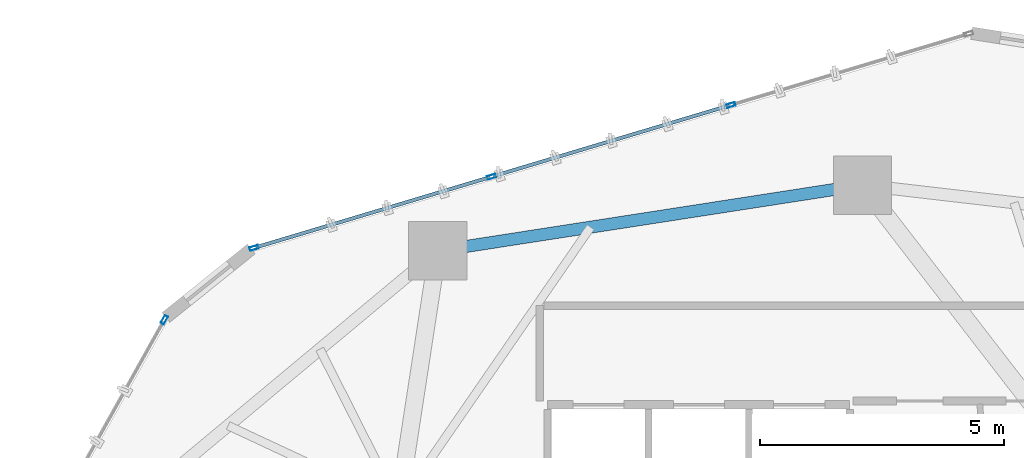
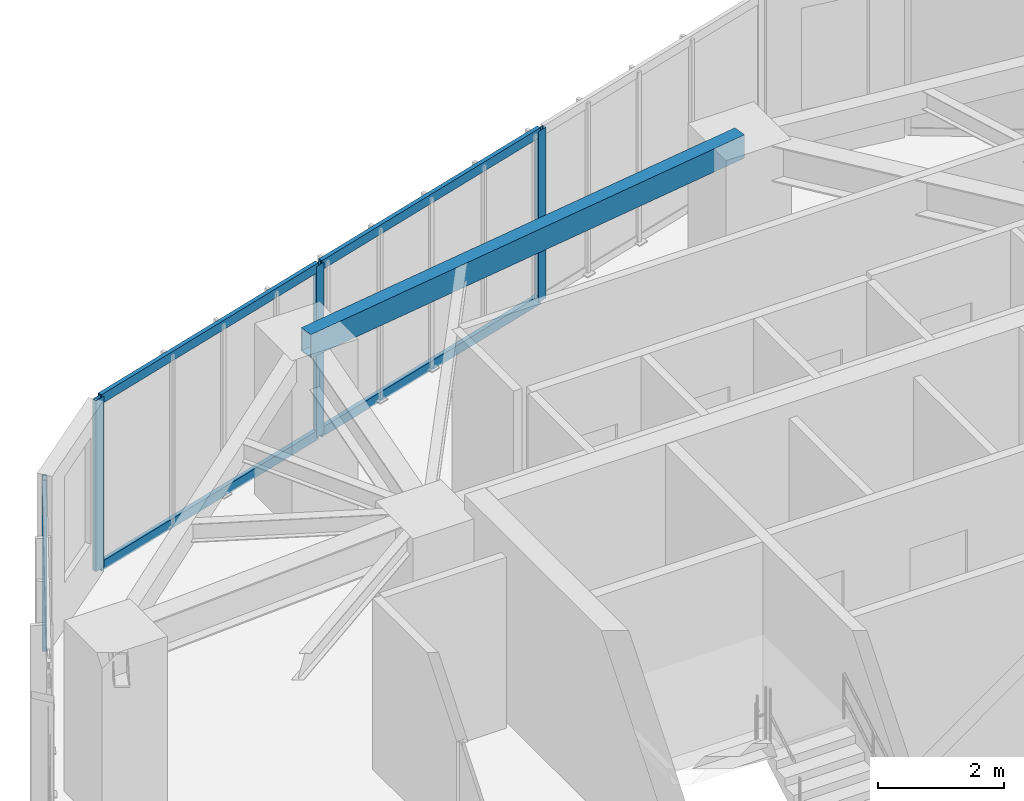
# One storey, part 12 of 21: 8 members, 1 beam, 2 elements without a shape of their own.
"""IFC4 building model written with IfcOpenShell, lengths in metres."""

from ifc_helpers import new_model, si_unit, direction, frame, origin, origin_2d, place, context, subcontext, project, spatial, hollow_rectangle, extrude, source, transform, mapped, material, layer, layer_set, material_profile, profile_set, type_object, type_shapes, element, aggregate, save


model = new_model("IFC4")

# Units and contexts
model_context = context("Model", 3, precision=1e-05, world=origin(), true_north=direction((0.0, 1.0)))
body_context = subcontext(model_context, "Body", "Model", "MODEL_VIEW")
ifc_project = project(units=[si_unit("LENGTHUNIT", "METRE"), si_unit("AREAUNIT", "SQUARE_METRE"), si_unit("VOLUMEUNIT", "CUBIC_METRE"), si_unit("PLANEANGLEUNIT", "RADIAN"), si_unit("MASSUNIT", "GRAM", prefix="KILO")], contexts=[model_context])

# Site, building, storey
site_placement = place(None, origin())
site = spatial("IfcSite", under=ifc_project, at=site_placement, CompositionType="ELEMENT")
building_placement = place(site_placement, origin())
building = spatial("IfcBuilding", under=site, at=building_placement, Name="Talar Marvaseh", CompositionType="ELEMENT")
storey_placement = place(building_placement, frame((0.0, 0.0, 139.800048828125)))
storey = spatial("IfcBuildingStorey", under=building, at=storey_placement, Name="L36", CompositionType="ELEMENT", Elevation=139.800048828125)

# Beam
ifc_material_1 = material(Name="Steel S355", Category="steel")
ifc_material_profile_1 = material_profile(ifc_material_1, hollow_rectangle(XDim=0.25, YDim=0.449951171875, WallThickness=0.01611328125, at=origin_2d()), Name="RHS450x250x16")
ifc_profile_set_1 = profile_set([ifc_material_profile_1], Name="Steel S355")
beam_type = type_object("IfcBeamType", Name="Zone 2 Perimeter Spandrel Beam RHS450x250x16", PredefinedType="SPANDREL", material=ifc_profile_set_1)
beam_placement = place(storey_placement, frame((19.5009765625, 42.123046875, 3.0849609375), z_axis=(0.988248879948, 0.152853365295, 0.0), x_axis=(-0.152853365295, 0.988248879948, 0.0)))
element("IfcBeam", 1, at=beam_placement, inside=storey, type_object=beam_type, Name="L36 Zone 2 Perimeter Spandrel Beam RHS450x250x16", PredefinedType="SPANDREL", context=body_context, shape_type="SweptSolid", body=[
    extrude(hollow_rectangle(XDim=0.25, YDim=0.449951171875, WallThickness=0.01611328125, at=origin_2d()), origin(), (0.0, 0.0, 1.0), 8.82470703125),
])

# Curtain wall, member
ifc_material_2 = material(Name="Architectural Aluminium", Category="aluminium")
ifc_layer = layer(ifc_material_2, 0.199951171875)
ifc_layer_set = layer_set([ifc_layer], Name="Architectural Aluminium")
curtain_wall_type = type_object("IfcCurtainWallType", Name="Unitised Acoustic Library Curtain Wall Z2", PredefinedType="NOTDEFINED", material=ifc_layer_set)
curtain_wall_1_placement = place(storey_placement, origin())
curtain_wall_1 = element("IfcCurtainWall", 2, at=curtain_wall_1_placement, inside=storey, type_object=curtain_wall_type, Name="L36 Unitised Acoustic Library Curtain Wall Z2", PredefinedType="NOTDEFINED")
ifc_material_profile_2 = material_profile(ifc_material_2, hollow_rectangle(XDim=0.074951171875, YDim=0.179931640625, WallThickness=0.0048828125, at=origin_2d()), Name="RHS180x75x5")
ifc_profile_set_2 = profile_set([ifc_material_profile_2], Name="Architectural Aluminium")
member_type_1 = type_object("IfcMemberType", Name="Unitised Curtain Wall Standard Mullion RHS180x75x5", PredefinedType="MULLION", material=ifc_profile_set_2)
shared_shape_1 = source(origin(), body_context, "Body", "SweptSolid", [
    extrude(hollow_rectangle(XDim=0.074951171875, YDim=0.179931640625, WallThickness=0.0048828125, at=origin_2d()), origin(), (0.0, 0.0, 1.0), 3.31005859375),
])
type_shapes(member_type_1, [shared_shape_1])
member_1_placement = place(storey_placement, frame((13.88916015625, 40.705078125, 0.0), z_axis=(0.0, 0.0, 1.0), x_axis=(-0.873076263983, 0.48758367207, 0.0)))
member_1 = element("IfcMember", 3, at=member_1_placement, type_object=member_type_1, Name="CW-Z2 mullion 4", PredefinedType="MULLION", context=body_context, shape_type="MappedRepresentation", body=[
    mapped(shared_shape_1, transform((0.0, 0.0, 0.0), x_axis=(1.0, 0.0, 0.0), y_axis=(0.0, 1.0, 0.0), z_axis=(0.0, 0.0, 1.0), scale=1.0)),
])
aggregate(curtain_wall_1, [member_1])

# Curtain wall, members
curtain_wall_2_placement = place(storey_placement, origin())
curtain_wall_2 = element("IfcCurtainWall", 4, at=curtain_wall_2_placement, inside=storey, type_object=curtain_wall_type, Name="L36 Unitised Acoustic Library Curtain Wall Z2", PredefinedType="NOTDEFINED")
member_2_placement = place(storey_placement, frame((15.7294921875, 42.181884765625, 0.0), z_axis=(0.0, 0.0, 1.0), x_axis=(-0.287060544497, 0.957912440567, 0.0)))
member_2 = element("IfcMember", 5, at=member_2_placement, type_object=member_type_1, Name="CW-Z2 mullion 1", PredefinedType="MULLION", context=body_context, shape_type="MappedRepresentation", body=[
    mapped(shared_shape_1, transform((0.0, 0.0, 0.0), x_axis=(1.0, 0.0, 0.0), y_axis=(0.0, 1.0, 0.0), z_axis=(0.0, 0.0, 1.0), scale=1.0)),
])
member_3_placement = place(storey_placement, frame((20.607666015625, 43.643798828125, 0.0), z_axis=(0.0, 0.0, 1.0), x_axis=(-0.287060544497, 0.957912440567, 0.0)))
member_3 = element("IfcMember", 6, at=member_3_placement, type_object=member_type_1, Name="CW-Z2 mullion 2", PredefinedType="MULLION", context=body_context, shape_type="MappedRepresentation", body=[
    mapped(shared_shape_1, transform((0.0, 0.0, 0.0), x_axis=(1.0, 0.0, 0.0), y_axis=(0.0, 1.0, 0.0), z_axis=(0.0, 0.0, 1.0), scale=1.0)),
])
member_4_placement = place(storey_placement, frame((25.521728515625, 45.116455078125, 0.0), z_axis=(0.0, 0.0, 1.0), x_axis=(-0.287060544497, 0.957912440567, 0.0)))
member_4 = element("IfcMember", 7, at=member_4_placement, type_object=member_type_1, Name="CW-Z2 mullion 3", PredefinedType="MULLION", context=body_context, shape_type="MappedRepresentation", body=[
    mapped(shared_shape_1, transform((0.0, 0.0, 0.0), x_axis=(1.0, 0.0, 0.0), y_axis=(0.0, 1.0, 0.0), z_axis=(0.0, 0.0, 1.0), scale=1.0)),
])
ifc_material_profile_3 = material_profile(ifc_material_2, hollow_rectangle(XDim=0.074951171875, YDim=0.179931640625, WallThickness=0.0048828125, at=origin_2d()), Name="RHS180x75x5")
ifc_profile_set_3 = profile_set([ifc_material_profile_3], Name="Architectural Aluminium")
member_type_2 = type_object("IfcMemberType", Name="Unitised Curtain Wall Transom RHS180x75x5", PredefinedType="USERDEFINED", material=ifc_profile_set_3)
shared_shape_2 = source(origin(), body_context, "Body", "SweptSolid", [
    extrude(hollow_rectangle(XDim=0.074951171875, YDim=0.179931640625, WallThickness=0.0048828125, at=origin_2d()), origin(), (0.0, 0.0, 1.0), 5.017578125),
])
member_5_placement = place(storey_placement, frame((15.765380859375, 42.192626953125, 0.037353515625), z_axis=(0.957907936501, 0.287075574001, 0.0), x_axis=(-0.287075574001, 0.957907936501, 0.0)))
member_5 = element("IfcMember", 8, at=member_5_placement, type_object=member_type_2, Name="CW-Z2 transom 1.1", ObjectType="TRANSOM", PredefinedType="USERDEFINED", context=body_context, shape_type="MappedRepresentation", body=[
    mapped(shared_shape_2, transform((0.0, 0.0, 0.0), x_axis=(1.0, 0.0, 0.0), y_axis=(0.0, 1.0, 0.0), z_axis=(0.0, 0.0, 1.0), scale=1.0)),
])
member_6_placement = place(storey_placement, frame((15.765380859375, 42.192626953125, 3.2724609375), z_axis=(0.957907936501, 0.287075574001, 0.0), x_axis=(-0.287075574001, 0.957907936501, 0.0)))
member_6 = element("IfcMember", 9, at=member_6_placement, type_object=member_type_2, Name="CW-Z2 transom 1.2", ObjectType="TRANSOM", PredefinedType="USERDEFINED", context=body_context, shape_type="MappedRepresentation", body=[
    mapped(shared_shape_2, transform((0.0, 0.0, 0.0), x_axis=(1.0, 0.0, 0.0), y_axis=(0.0, 1.0, 0.0), z_axis=(0.0, 0.0, 1.0), scale=1.0)),
])
shared_shape_3 = source(origin(), body_context, "Body", "SweptSolid", [
    extrude(hollow_rectangle(XDim=0.074951171875, YDim=0.179931640625, WallThickness=0.0048828125, at=origin_2d()), origin(), (0.0, 0.0, 1.0), 5.05517578125),
])
type_shapes(member_type_2, [shared_shape_2, shared_shape_3])
member_7_placement = place(storey_placement, frame((20.6435546875, 43.654541015625, 0.037353515625), z_axis=(0.957908659683, 0.287073160893, 0.0), x_axis=(-0.287073160893, 0.957908659683, 0.0)))
member_7 = element("IfcMember", 10, at=member_7_placement, type_object=member_type_2, Name="CW-Z2 transom 2.1", ObjectType="TRANSOM", PredefinedType="USERDEFINED", context=body_context, shape_type="MappedRepresentation", body=[
    mapped(shared_shape_3, transform((0.0, 0.0, 0.0), x_axis=(1.0, 0.0, 0.0), y_axis=(0.0, 1.0, 0.0), z_axis=(0.0, 0.0, 1.0), scale=1.0)),
])
member_8_placement = place(storey_placement, frame((20.6435546875, 43.654541015625, 3.2724609375), z_axis=(0.957908659683, 0.287073160893, 0.0), x_axis=(-0.287073160893, 0.957908659683, 0.0)))
member_8 = element("IfcMember", 11, at=member_8_placement, type_object=member_type_2, Name="CW-Z2 transom 2.2", ObjectType="TRANSOM", PredefinedType="USERDEFINED", context=body_context, shape_type="MappedRepresentation", body=[
    mapped(shared_shape_3, transform((0.0, 0.0, 0.0), x_axis=(1.0, 0.0, 0.0), y_axis=(0.0, 1.0, 0.0), z_axis=(0.0, 0.0, 1.0), scale=1.0)),
])
aggregate(curtain_wall_2, [member_2, member_3, member_4, member_5, member_6, member_7, member_8])

save(model, "model.ifc")
